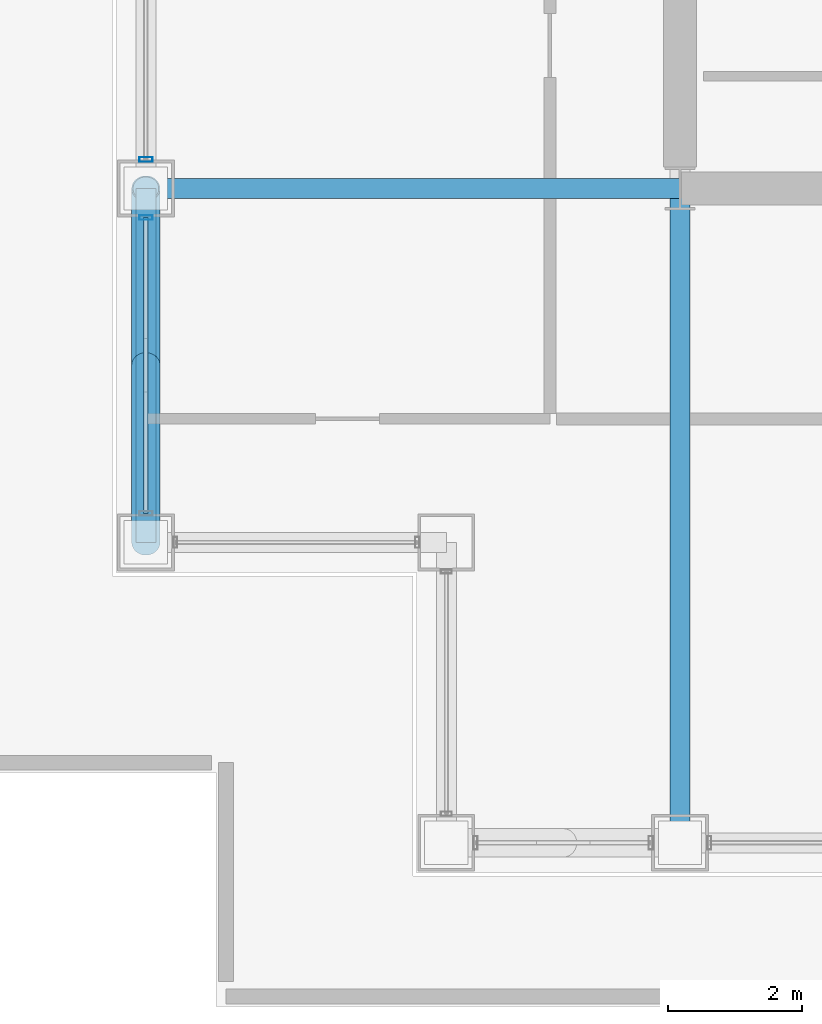
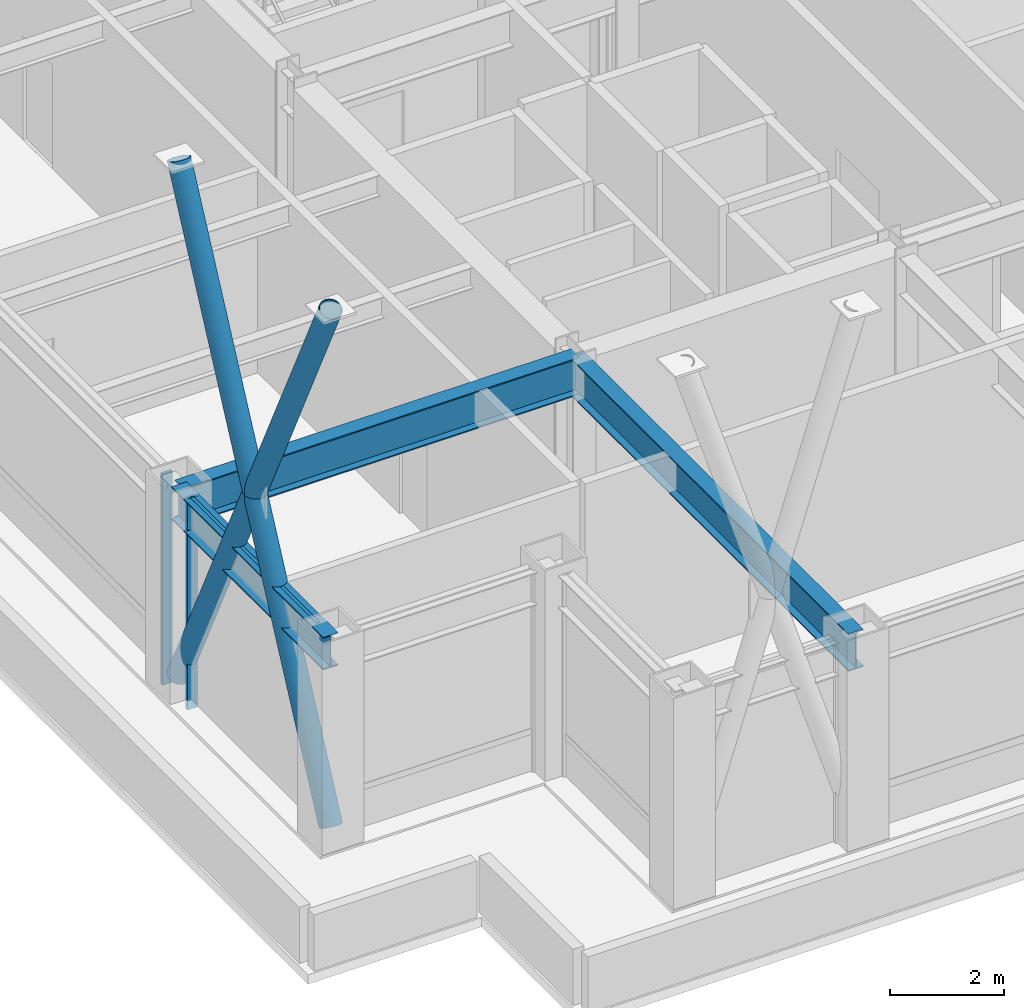
# One storey, part 4 of 32: 6 members, 3 beams, 2 elements without a shape of their own.
"""IFC4 building model written with IfcOpenShell, lengths in metres."""

from ifc_helpers import new_model, si_unit, direction, frame, origin, origin_2d, place, context, subcontext, project, spatial, hollow_rectangle, hollow_circle, i_section, extrude, material, layer, layer_set, material_profile, profile_set, type_object, element, aggregate, save


model = new_model("IFC4")

# Units and contexts
model_context = context("Model", 3, precision=1e-05, world=origin(), true_north=direction((0.0, 1.0)))
body_context = subcontext(model_context, "Body", "Model", "MODEL_VIEW")
ifc_project = project(units=[si_unit("LENGTHUNIT", "METRE"), si_unit("AREAUNIT", "SQUARE_METRE"), si_unit("VOLUMEUNIT", "CUBIC_METRE"), si_unit("PLANEANGLEUNIT", "RADIAN"), si_unit("MASSUNIT", "GRAM", prefix="KILO")], contexts=[model_context])

# Site, building, storey
site_placement = place(None, origin())
site = spatial("IfcSite", under=ifc_project, at=site_placement, CompositionType="ELEMENT")
building_placement = place(site_placement, origin())
building = spatial("IfcBuilding", under=site, at=building_placement, Name="Brelmoor Portico Tower", CompositionType="ELEMENT")
storey_placement = place(building_placement, frame((0.0, 0.0, 87.300048828125)))
storey = spatial("IfcBuildingStorey", under=building, at=storey_placement, Name="L22", CompositionType="ELEMENT", Elevation=87.300048828125)

# Beams
ifc_material_1 = material(Name="Steel Q355B", Category="steel")
ifc_material_profile_1 = material_profile(ifc_material_1, i_section(OverallWidth=0.300048828125, OverallDepth=0.800048828125, WebThickness=0.013916015625, FlangeThickness=0.02587890625, at=origin_2d()), Name="HN 800x300x14x26")
ifc_profile_set_1 = profile_set([ifc_material_profile_1], Name="Steel Q355B")
beam_type_1 = type_object("IfcBeamType", Name="BM-PG-800", PredefinedType="BEAM", material=ifc_profile_set_1)
beam_1_placement = place(storey_placement, frame((-14.550048828125, -19.550048828125, 3.89990234375), z_axis=(0.0, 1.0, 0.0), x_axis=(-1.0, 0.0, 0.0)))
element("IfcBeam", 1, at=beam_1_placement, inside=storey, type_object=beam_type_1, Name="L22 Primary Floor Girder PG-01", PredefinedType="BEAM", context=body_context, shape_type="SweptSolid", body=[
    extrude(i_section(OverallWidth=0.300048828125, OverallDepth=0.800048828125, WebThickness=0.013916015625, FlangeThickness=0.02587890625, at=origin_2d()), origin(), (0.0, 0.0, 1.0), 9.800048828125),
])
beam_2_placement = place(storey_placement, frame((-22.550048828125, -9.75, 3.89990234375), z_axis=(1.0, 0.0, 0.0), x_axis=(0.0, 1.0, 0.0)))
element("IfcBeam", 2, at=beam_2_placement, inside=storey, type_object=beam_type_1, Name="L22 Primary Floor Girder PG-13", PredefinedType="BEAM", context=body_context, shape_type="SweptSolid", body=[
    extrude(i_section(OverallWidth=0.300048828125, OverallDepth=0.800048828125, WebThickness=0.013916015625, FlangeThickness=0.02587890625, at=origin_2d()), origin(), (0.0, 0.0, 1.0), 8.0),
])
ifc_material_profile_2 = material_profile(ifc_material_1, i_section(OverallWidth=0.300048828125, OverallDepth=0.699951171875, WebThickness=0.012939453125, FlangeThickness=0.02392578125, at=origin_2d()), Name="HN 700x300x13x24")
ifc_profile_set_2 = profile_set([ifc_material_profile_2], Name="Steel Q355B")
beam_type_2 = type_object("IfcBeamType", Name="BM-SP-700", PredefinedType="SPANDREL", material=ifc_profile_set_2)
beam_3_placement = place(storey_placement, frame((-22.550048828125, -15.050048828125, 3.949951171875), z_axis=(0.0, 1.0, 0.0), x_axis=(-1.0, 0.0, 0.0)))
element("IfcBeam", 3, at=beam_3_placement, inside=storey, type_object=beam_type_2, Name="L22 Perimeter Spandrel Beam SP-15", PredefinedType="SPANDREL", context=body_context, shape_type="SweptSolid", body=[
    extrude(i_section(OverallWidth=0.300048828125, OverallDepth=0.699951171875, WebThickness=0.012939453125, FlangeThickness=0.02392578125, at=origin_2d()), origin(), (0.0, 0.0, 1.0), 5.300048828125),
])

# Members
ifc_material_profile_3 = material_profile(ifc_material_1, hollow_circle(Radius=0.212890625, WallThickness=0.02001953125, at=origin_2d()), Name="CHS 426x20")
ifc_profile_set_3 = profile_set([ifc_material_profile_3], Name="Steel Q355B")
member_type_1 = type_object("IfcMemberType", Name="MB-BELT-DIAG1", PredefinedType="BRACE", material=ifc_profile_set_3)
member_1_placement = place(storey_placement, frame((-22.550048828125, -15.050048828125, 0.25), z_axis=(0.0, 0.434065090661, 0.900881511116), x_axis=(-1.0, 0.0, 0.0)))
element("IfcMember", 4, at=member_1_placement, inside=storey, type_object=member_type_1, Name="L22 Continuous Mega-X Brace 047A", PredefinedType="BRACE", context=body_context, shape_type="SweptSolid", body=[
    extrude(hollow_circle(Radius=0.212890625, WallThickness=0.02001953125, at=origin_2d()), origin(), (0.0, 0.0, 1.0), 12.210205078125),
])
member_2_placement = place(storey_placement, frame((-22.550048828125, -9.75, 0.25), z_axis=(0.0, -0.434048862995, 0.900889329792), x_axis=(1.0, 0.0, 0.0)))
element("IfcMember", 5, at=member_2_placement, inside=storey, type_object=member_type_1, Name="L22 Split Mega-X Brace 047B1", PredefinedType="BRACE", context=body_context, shape_type="SweptSolid", body=[
    extrude(hollow_circle(Radius=0.212890625, WallThickness=0.02001953125, at=origin_2d()), origin(), (0.0, 0.0, 1.0), 6.10498046875),
])
member_3_placement = place(storey_placement, frame((-22.550048828125, -12.39990234375, 5.75), z_axis=(0.0, -0.434081317903, 0.900873692283), x_axis=(1.0, 0.0, 0.0)))
element("IfcMember", 6, at=member_3_placement, inside=storey, type_object=member_type_1, Name="L22 Split Mega-X Brace 047B2", PredefinedType="BRACE", context=body_context, shape_type="SweptSolid", body=[
    extrude(hollow_circle(Radius=0.212890625, WallThickness=0.02001953125, at=origin_2d()), origin(), (0.0, 0.0, 1.0), 6.105224609375),
])

# Curtain wall, member
ifc_material_2 = material(Name="Anodised Aluminium Alloy 6063-T6", Category="aluminium")
ifc_layer_1 = layer(ifc_material_2, 0.179931640625)
ifc_layer_set_1 = layer_set([ifc_layer_1], Name="Anodised Aluminium Alloy 6063-T6")
curtain_wall_type_1 = type_object("IfcCurtainWallType", Name="CW-SKYLOBBY-XB", PredefinedType="NOTDEFINED", material=ifc_layer_set_1)
curtain_wall_1_placement = place(storey_placement, origin())
curtain_wall_1 = element("IfcCurtainWall", 7, at=curtain_wall_1_placement, inside=storey, type_object=curtain_wall_type_1, Name="L22 Curtain Wall CW-L22-03-1", PredefinedType="NOTDEFINED")
ifc_material_profile_4 = material_profile(ifc_material_2, hollow_rectangle(XDim=0.070068359375, YDim=0.199951171875, WallThickness=0.00439453125, at=origin_2d()), Name="ALU MULLION 70x200")
ifc_profile_set_4 = profile_set([ifc_material_profile_4], Name="Anodised Aluminium Alloy 6063-T6")
member_type_2 = type_object("IfcMemberType", Name="MB-CW-MULL-200", PredefinedType="MULLION", material=ifc_profile_set_4)
member_4_placement = place(storey_placement, frame((-22.550048828125, -10.18505859375, -0.199951171875), z_axis=(0.0, 0.0, 1.0), x_axis=(0.0, 1.0, 0.0)))
member_4 = element("IfcMember", 8, at=member_4_placement, type_object=member_type_2, Name="CW-L22-03-1 Mullion 01", PredefinedType="MULLION", context=body_context, shape_type="SweptSolid", body=[
    extrude(hollow_rectangle(XDim=0.070068359375, YDim=0.199951171875, WallThickness=0.00439453125, at=origin_2d()), origin(), (0.0, 0.0, 1.0), 4.5),
])

ifc_layer_2 = layer(ifc_material_2, 0.179931640625)
ifc_layer_set_2 = layer_set([ifc_layer_2], Name="Anodised Aluminium Alloy 6063-T6")
curtain_wall_type_2 = type_object("IfcCurtainWallType", Name="CW-SKYLOBBY", PredefinedType="NOTDEFINED", material=ifc_layer_set_2)
curtain_wall_2_placement = place(storey_placement, origin())
curtain_wall_2 = element("IfcCurtainWall", 9, at=curtain_wall_2_placement, inside=storey, type_object=curtain_wall_type_2, Name="L22 Curtain Wall CW-L22-03-2", PredefinedType="NOTDEFINED")
member_5_placement = place(storey_placement, frame((-22.550048828125, -9.31494140625, -0.199951171875), z_axis=(0.0, 0.0, 1.0), x_axis=(0.0, 1.0, 0.0)))
member_5 = element("IfcMember", 10, at=member_5_placement, type_object=member_type_2, Name="CW-L22-03-2 Mullion 00", PredefinedType="MULLION", context=body_context, shape_type="SweptSolid", body=[
    extrude(hollow_rectangle(XDim=0.070068359375, YDim=0.199951171875, WallThickness=0.00439453125, at=origin_2d()), origin(), (0.0, 0.0, 1.0), 4.5),
])
aggregate(curtain_wall_2, [member_5])

# Member
ifc_material_profile_5 = material_profile(ifc_material_2, hollow_rectangle(XDim=0.070068359375, YDim=0.159912109375, WallThickness=0.00390625, at=origin_2d()), Name="ALU TRANSOM 70x160")
ifc_profile_set_5 = profile_set([ifc_material_profile_5], Name="Anodised Aluminium Alloy 6063-T6")
member_type_3 = type_object("IfcMemberType", Name="MB-CW-TRAN-160", PredefinedType="USERDEFINED", material=ifc_profile_set_5)
member_6_placement = place(storey_placement, frame((-22.550048828125, -14.614990234375, 4.219970703125), z_axis=(0.0, 1.0, 0.0), x_axis=(-1.0, 0.0, 0.0)))
member_6 = element("IfcMember", 11, at=member_6_placement, type_object=member_type_3, Name="CW-L22-03-1 Transom 1-00", ObjectType="TRANSOM", PredefinedType="USERDEFINED", context=body_context, shape_type="SweptSolid", body=[
    extrude(hollow_rectangle(XDim=0.070068359375, YDim=0.159912109375, WallThickness=0.00390625, at=origin_2d()), origin(), (0.0, 0.0, 1.0), 4.429931640625),
])

aggregate(curtain_wall_1, [member_4, member_6])

save(model, "model.ifc")
